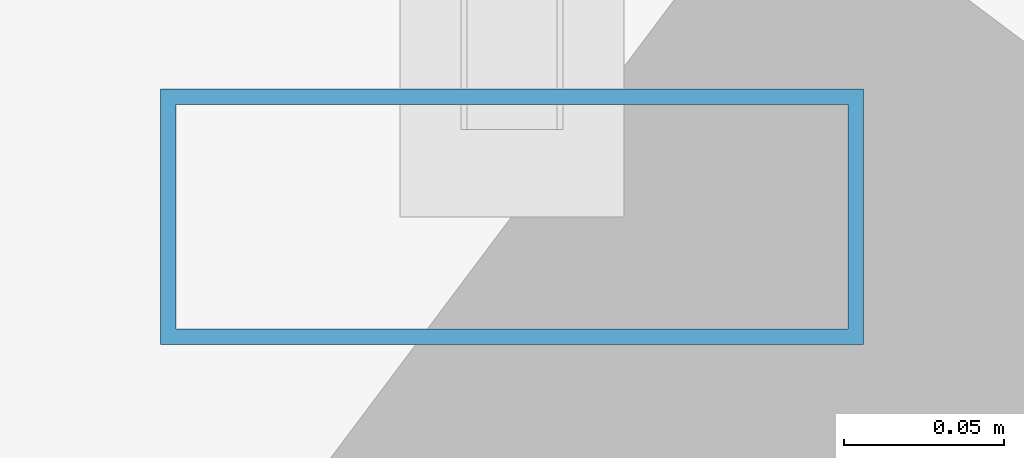
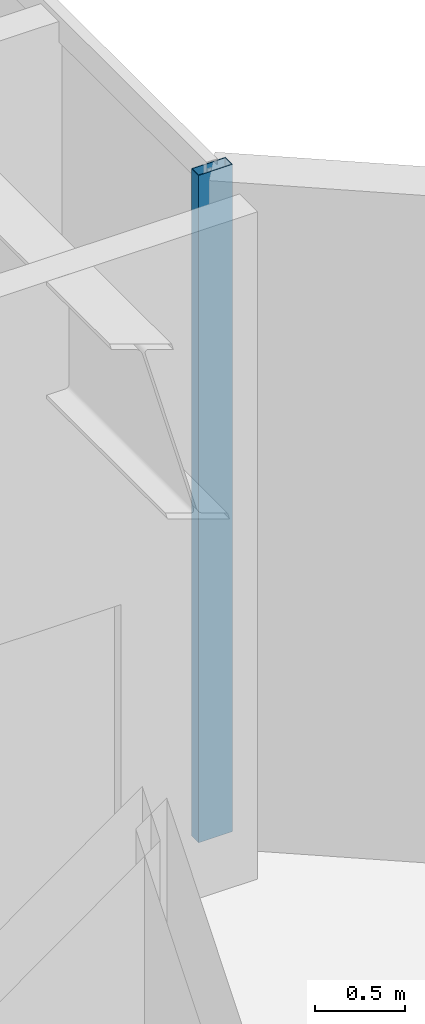
# One storey, part 11 of 21: 1 member, 1 element without a shape of its own.
"""IFC4 building model written with IfcOpenShell, lengths in metres."""

from ifc_helpers import new_model, si_unit, direction, frame, origin, origin_2d, place, context, subcontext, project, spatial, hollow_rectangle, extrude, material, layer, layer_set, material_profile, profile_set, type_object, element, aggregate, save


model = new_model("IFC4")

# Units and contexts
model_context = context("Model", 3, precision=1e-05, world=origin(), true_north=direction((0.0, 1.0)))
body_context = subcontext(model_context, "Body", "Model", "MODEL_VIEW")
ifc_project = project(units=[si_unit("LENGTHUNIT", "METRE"), si_unit("AREAUNIT", "SQUARE_METRE"), si_unit("VOLUMEUNIT", "CUBIC_METRE"), si_unit("PLANEANGLEUNIT", "RADIAN"), si_unit("MASSUNIT", "GRAM", prefix="KILO")], contexts=[model_context])

# Site, building, storey
site_placement = place(None, origin())
site = spatial("IfcSite", under=ifc_project, at=site_placement, CompositionType="ELEMENT")
building_placement = place(site_placement, origin())
building = spatial("IfcBuilding", under=site, at=building_placement, Name="Hatsunagi Terrace Concourse", CompositionType="ELEMENT")
storey_placement = place(building_placement, frame((0.0, 0.0, 186.75)))
storey = spatial("IfcBuildingStorey", under=building, at=storey_placement, Name="L49", CompositionType="ELEMENT", Elevation=186.75)

# Curtain wall, member
ifc_material_1 = material(Name="Anodised Aluminium Alloy 6063-T5", Category="aluminium")
ifc_layer = layer(ifc_material_1, 0.199951171875)
ifc_layer_set = layer_set([ifc_layer], Name="SkyLobbyAtrium_CW05")
curtain_wall_type = type_object("IfcCurtainWallType", Name="SkyLobbyAtrium_CW05", PredefinedType="NOTDEFINED", material=ifc_layer_set)
curtain_wall_placement = place(storey_placement, origin())
curtain_wall = element("IfcCurtainWall", 1, at=curtain_wall_placement, inside=storey, type_object=curtain_wall_type, Name="Unitised Curtain Wall CW-05 CW-L49-12", PredefinedType="NOTDEFINED")
ifc_material_2 = material(Name="Anodised Aluminium Alloy 6063-T5", Category="aluminium")
ifc_material_profile = material_profile(ifc_material_2, hollow_rectangle(XDim=0.080078125, YDim=0.219970703125, WallThickness=0.0048828125, at=origin_2d()), Name="ALU-MUL-220x80x5")
ifc_profile_set = profile_set([ifc_material_profile], Name="Anodised Aluminium Alloy 6063-T5")
member_type = type_object("IfcMemberType", Name="CurtainWallMullion_Heavy_220x80", PredefinedType="MULLION", material=ifc_profile_set)
member_placement = place(storey_placement, frame((44.860107421875, 40.72998046875, 0.0), z_axis=(0.0, 0.0, 1.0), x_axis=(0.0, -1.0, 0.0)))
member = element("IfcMember", 2, at=member_placement, type_object=member_type, Name="Curtain Wall Mullion MUL-01", PredefinedType="MULLION", context=body_context, shape_type="SweptSolid", body=[
    extrude(hollow_rectangle(XDim=0.080078125, YDim=0.219970703125, WallThickness=0.0048828125, at=origin_2d()), origin(), (0.0, 0.0, 1.0), 4.550048828125),
])
aggregate(curtain_wall, [member])

save(model, "model.ifc")
